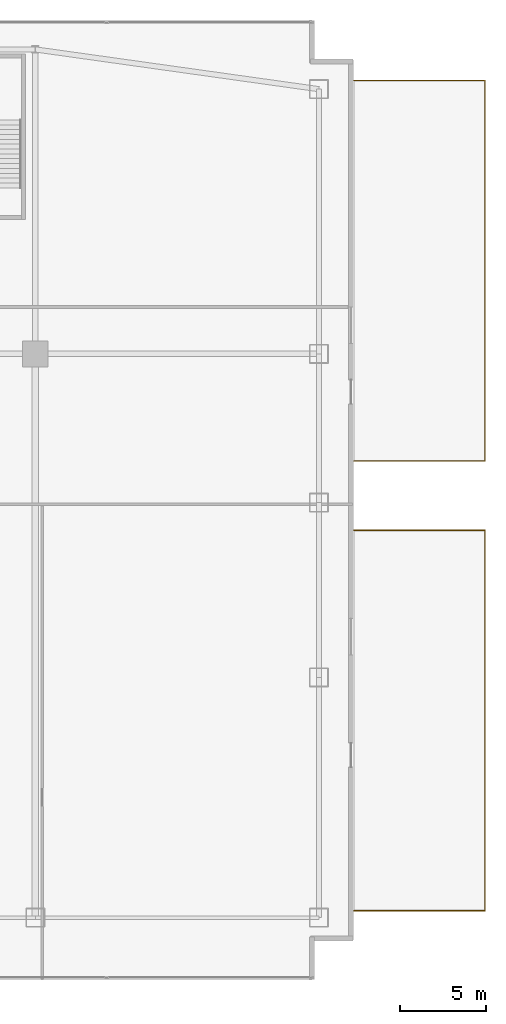
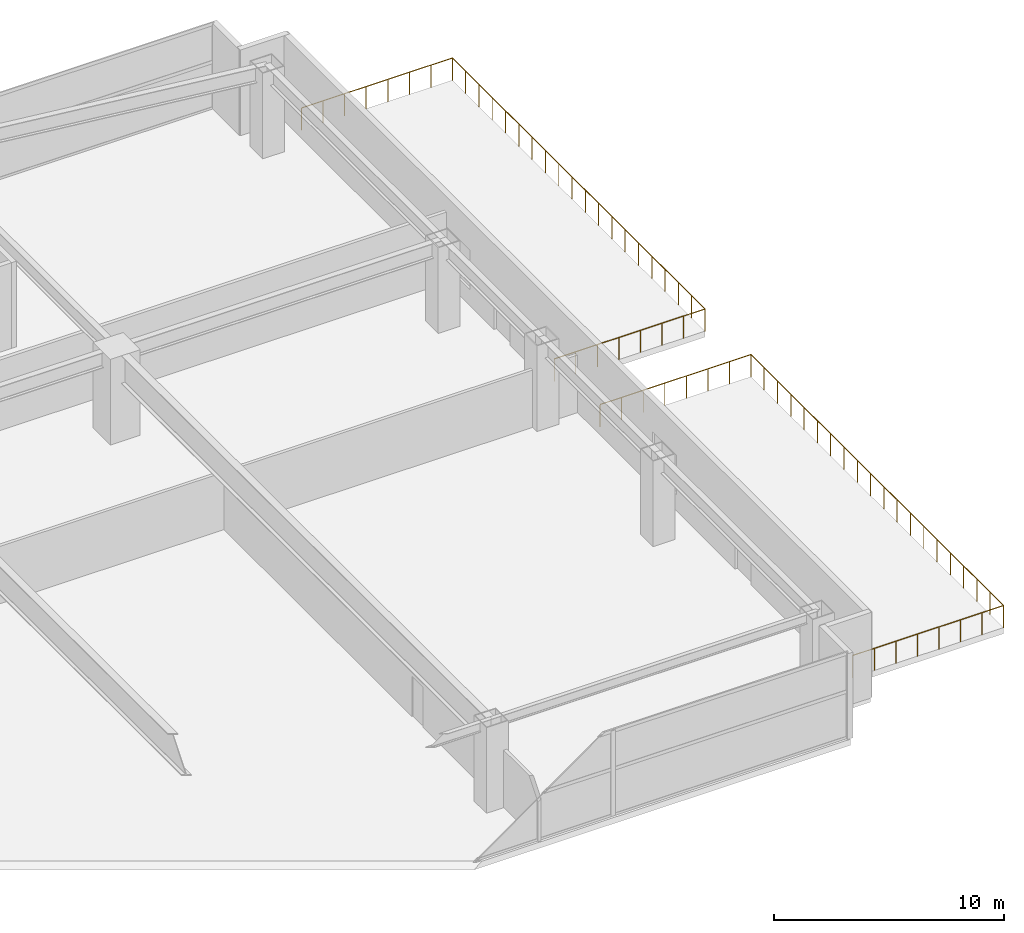
# One storey, part 30 of 30: 2 railings.
"""IFC4 building model written with IfcOpenShell, lengths in metres."""

import ifcopenshell
import ifcopenshell.guid

model = None  # the IFC model being written
_history = None  # IfcOwnerHistory: only IFC2X3 demands one
_inside = {}  # id of a spatial element -> (the spatial element, [elements in it])
_under = {}  # id of a project, library or spatial element -> (it, [spatial elements below it])
_declared = {}  # id of a project -> (the project, [libraries it declares])
_typed = {}  # id of a type object -> (the type object, [elements of that type])
_made_of = {}  # id of a material, layer set ... -> (it, [elements and type objects made of it])


def new_model(schema):
    """Start an empty IFC model of exactly this schema.

    Asked for "IFC4X3", IfcOpenShell would pick the latest addendum, in which some entities
    have other attributes; the version numbers below select the first issue.
    IFC2X3 requires an IfcOwnerHistory on every rooted entity: one is made here for all.
    """
    global model, _history
    if schema == "IFC4X3":
        model = ifcopenshell.file(schema_version=(4, 3, 0, 0))
    else:
        model = ifcopenshell.file(schema=schema)
    _inside.clear()
    _under.clear()
    _declared.clear()
    _typed.clear()
    _made_of.clear()
    _history = None
    if model.schema == "IFC2X3":
        org = make("IfcOrganization", Name="unknown")
        user = make(
            "IfcPersonAndOrganization",
            ThePerson=make("IfcPerson", FamilyName="unknown"),
            TheOrganization=org,
        )
        app = make(
            "IfcApplication",
            ApplicationDeveloper=org,
            Version="unknown",
            ApplicationFullName="unknown",
            ApplicationIdentifier="unknown",
        )
        _history = make(
            "IfcOwnerHistory",
            OwningUser=user,
            OwningApplication=app,
            ChangeAction="ADDED",
            CreationDate=0,
        )
    return model


def make(cls, **values):
    """One entity of the class cls with the attributes given. An attribute that is None is left unset."""
    return model.create_entity(
        cls, **{name: value for name, value in values.items() if value is not None}
    )


def rooted(cls, **values):
    """An entity with a GlobalId (a new one), such as an element, a storey or a relation."""
    return make(cls, GlobalId=ifcopenshell.guid.new(), OwnerHistory=_history, **values)


def si_unit(unit_type, name, prefix=None):
    """IfcSIUnit, for example si_unit("LENGTHUNIT", "METRE", prefix="MILLI")."""
    return make("IfcSIUnit", UnitType=unit_type, Prefix=prefix, Name=name)


def assignment(units):
    """IfcUnitAssignment: the units of a project."""
    return None if units is None else make("IfcUnitAssignment", Units=units)


def point(xyz):
    """IfcCartesianPoint."""
    return None if xyz is None else make("IfcCartesianPoint", Coordinates=xyz)


def direction(xyz):
    """IfcDirection."""
    return None if xyz is None else make("IfcDirection", DirectionRatios=xyz)


def frame(location, z_axis=None, x_axis=None):
    """IfcAxis2Placement3D, a coordinate frame: its origin and axes. An axis left out is left unset."""
    return make(
        "IfcAxis2Placement3D",
        Location=point(location),
        Axis=direction(z_axis),
        RefDirection=direction(x_axis),
    )


def frame_2d(location, x_axis=None):
    """IfcAxis2Placement2D, a coordinate frame in the plane: its origin and x axis."""
    return make(
        "IfcAxis2Placement2D", Location=point(location), RefDirection=direction(x_axis)
    )


def origin():
    """The frame at (0, 0, 0) with its axes left unset."""
    return frame((0.0, 0.0, 0.0))


def origin_2d():
    """The frame at (0, 0) in the plane with its x axis left unset."""
    return frame_2d((0.0, 0.0))


def place(relative_to, where):
    """IfcLocalPlacement: puts the frame where relative to a parent placement (None: the world)."""
    return make(
        "IfcLocalPlacement", PlacementRelTo=relative_to, RelativePlacement=where
    )


def context(
    kind, dimensions, precision=None, world=None, true_north=None, identifier=None
):
    """IfcGeometricRepresentationContext, for example the 3D "Model" context."""
    return make(
        "IfcGeometricRepresentationContext",
        ContextIdentifier=identifier,
        ContextType=kind,
        CoordinateSpaceDimension=dimensions,
        Precision=precision,
        WorldCoordinateSystem=world,
        TrueNorth=true_north,
    )


def subcontext(parent, identifier, kind, view, scale=None):
    """IfcGeometricRepresentationSubContext, for example "Body" below "Model"."""
    return make(
        "IfcGeometricRepresentationSubContext",
        ContextIdentifier=identifier,
        ContextType=kind,
        ParentContext=parent,
        TargetScale=scale,
        TargetView=view,
    )


def project(units=None, contexts=None):
    """IfcProject with its units and contexts."""
    return rooted(
        "IfcProject",
        Name="project",
        RepresentationContexts=contexts,
        UnitsInContext=assignment(units),
    )


def spatial(cls, under=None, at=None, **own):
    """A site, building, storey or space (cls), placed at a placement, below another one or the project."""
    s = rooted(cls, ObjectPlacement=at, **own)
    if under is not None:
        _under.setdefault(under.id(), (under, []))[1].append(s)
    return s


def profile(cls, at=None, kind="AREA", **sizes):
    """A parametric profile (cls). Its sizes go by their IFC names, for example OverallWidth=200.0."""
    return make(cls, ProfileType=kind, Position=at, **sizes)


def circle(**sizes):
    """IfcCircleProfileDef."""
    return profile("IfcCircleProfileDef", **sizes)


def extrude(swept, where, along, depth):
    """IfcExtrudedAreaSolid: the profile swept, set in the frame where, extruded along a direction by depth."""
    return make(
        "IfcExtrudedAreaSolid",
        SweptArea=swept,
        Position=where,
        ExtrudedDirection=direction(along),
        Depth=depth,
    )


def shape(context_of_items, identifier, shape_type, items):
    """IfcShapeRepresentation: the items that make up one representation, for example the "Body"."""
    return make(
        "IfcShapeRepresentation",
        ContextOfItems=context_of_items,
        RepresentationIdentifier=identifier,
        RepresentationType=shape_type,
        Items=items,
    )


def material(Name=None, Category=None):
    """IfcMaterial."""
    return make("IfcMaterial", Name=Name, Category=Category)


def made_of(thing, what):
    """Note that an element or type object is made of a material, layer set ...; save() writes the relation."""
    if what is not None:
        _made_of.setdefault(what.id(), (what, []))[1].append(thing)
    return thing


def type_object(cls, material=None, **own):
    """A type object (cls), such as IfcWallType, which elements share."""
    return made_of(rooted(cls, **own), material)


def element(
    cls,
    number,
    at=None,
    inside=None,
    cuts=None,
    type_object=None,
    material=None,
    context=None,
    identifier="Body",
    shape_type=None,
    held_by="IfcProductDefinitionShape",
    body=None,
    shapes=None,
    **own,
):
    """One element of the class cls, such as IfcWall. Its Tag is "e" and its number.

    at: its placement. inside: the storey or other place that contains it. cuts: it is an
    opening in that element (IfcRelVoidsElement). A single representation is given by context,
    identifier, shape_type and body (its items); several are given by shapes. held_by: the class
    of the entity that holds the representations. save() writes the other relations.
    """
    e = rooted(cls, Tag="e%d" % number, ObjectPlacement=at, **own)
    if body is not None:
        shapes = [shape(context, identifier, shape_type, body)]
    if shapes is not None:
        e.Representation = make(held_by, Representations=shapes)
    if inside is not None:
        _inside.setdefault(inside.id(), (inside, []))[1].append(e)
    if cuts is not None:
        rooted(
            "IfcRelVoidsElement", RelatingBuildingElement=cuts, RelatedOpeningElement=e
        )
    if type_object is not None:
        _typed.setdefault(type_object.id(), (type_object, []))[1].append(e)
    return made_of(e, material)


def aggregate(whole, parts):
    """IfcRelAggregates: a whole, such as a stair, and the parts it consists of."""
    return rooted("IfcRelAggregates", RelatingObject=whole, RelatedObjects=parts)


def save(model, path):
    """Write the relations noted so far, then the file.

    IfcRelAggregates (storeys below a building ...), IfcRelContainedInSpatialStructure (elements
    in a storey), IfcRelDefinesByType, IfcRelAssociatesMaterial and IfcRelDeclares: one each for
    every whole, place, type object, material and project.
    """
    for whole, parts in _under.values():
        aggregate(whole, parts)
    for where, things in _inside.values():
        rooted(
            "IfcRelContainedInSpatialStructure",
            RelatedElements=things,
            RelatingStructure=where,
        )
    for kind, things in _typed.values():
        rooted("IfcRelDefinesByType", RelatedObjects=things, RelatingType=kind)
    for what, things in _made_of.values():
        rooted("IfcRelAssociatesMaterial", RelatedObjects=things, RelatingMaterial=what)
    for by, libraries in _declared.values():
        rooted("IfcRelDeclares", RelatingContext=by, RelatedDefinitions=libraries)
    model.write(path)


model = new_model("IFC4")

# Units and contexts
model_context = context("Model", 3, precision=1e-05, world=origin(), true_north=direction((0.0, 1.0)))
body_context = subcontext(model_context, "Body", "Model", "MODEL_VIEW")
ifc_project = project(units=[si_unit("LENGTHUNIT", "METRE"), si_unit("AREAUNIT", "SQUARE_METRE"), si_unit("VOLUMEUNIT", "CUBIC_METRE"), si_unit("PLANEANGLEUNIT", "RADIAN"), si_unit("MASSUNIT", "GRAM", prefix="KILO")], contexts=[model_context])

# Site, building, storey
site_placement = place(None, origin())
site = spatial("IfcSite", under=ifc_project, at=site_placement, CompositionType="ELEMENT")
building_placement = place(site_placement, origin())
building = spatial("IfcBuilding", under=site, at=building_placement, Name="Calvorn Quay Hotel", CompositionType="ELEMENT")
storey_placement = place(building_placement, frame((0.0, 0.0, 17.0)))
storey = spatial("IfcBuildingStorey", under=building, at=storey_placement, Name="L03", CompositionType="ELEMENT", Elevation=17.0)

# Railings
ifc_material = material(Name="Pale Anodised Aluminium and Laminated Glass", Category="aluminium")
railing_type = type_object("IfcRailingType", Name="RLG-BALUSTRADE-1200", PredefinedType="BALUSTRADE", material=ifc_material)
railing_1_placement = place(storey_placement, frame((76.02001953125, 4.0, 0.0)))
element("IfcRailing", 1, at=railing_1_placement, inside=storey, type_object=railing_type, Name="L03 Terrace Balustrade 1", PredefinedType="BALUSTRADE", context=body_context, shape_type="SweptSolid", body=[
    extrude(circle(Radius=0.02392578125, at=origin_2d()), frame((0.0, 0.0, 1.17578125), z_axis=(1.0, 0.0, 0.0), x_axis=(0.0, 1.0, 0.0)), (0.0, 0.0, 1.0), 7.580078125),
    extrude(circle(Radius=0.02392578125, at=origin_2d()), frame((7.580078125, 0.0, 1.17578125), z_axis=(0.0, 1.0, 0.0), x_axis=(-1.0, 0.0, 0.0)), (0.0, 0.0, 1.0), 22.0),
    extrude(circle(Radius=0.02392578125, at=origin_2d()), frame((7.580078125, 22.0, 1.17578125), z_axis=(-1.0, 0.0, 0.0), x_axis=(0.0, -1.0, 0.0)), (0.0, 0.0, 1.0), 7.580078125),
    extrude(circle(Radius=0.02099609375, at=origin_2d()), origin(), (0.0, 0.0, 1.0), 1.15185546875),
    extrude(circle(Radius=0.02099609375, at=origin_2d()), frame((1.082763671875, 0.0, 0.0)), (0.0, 0.0, 1.0), 1.15185546875),
    extrude(circle(Radius=0.02099609375, at=origin_2d()), frame((2.165771484375, 0.0, 0.0)), (0.0, 0.0, 1.0), 1.15185546875),
    extrude(circle(Radius=0.02099609375, at=origin_2d()), frame((3.24853515625, 0.0, 0.0)), (0.0, 0.0, 1.0), 1.15185546875),
    extrude(circle(Radius=0.02099609375, at=origin_2d()), frame((4.33154296875, 0.0, 0.0)), (0.0, 0.0, 1.0), 1.15185546875),
    extrude(circle(Radius=0.02099609375, at=origin_2d()), frame((5.414306640625, 0.0, 0.0)), (0.0, 0.0, 1.0), 1.15185546875),
    extrude(circle(Radius=0.02099609375, at=origin_2d()), frame((6.497314453125, 0.0, 0.0)), (0.0, 0.0, 1.0), 1.15185546875),
    extrude(circle(Radius=0.02099609375, at=origin_2d()), frame((7.580078125, 0.0, 0.0)), (0.0, 0.0, 1.0), 1.15185546875),
    extrude(circle(Radius=0.02099609375, at=origin_2d()), frame((7.580078125, 1.157958984375, 0.0)), (0.0, 0.0, 1.0), 1.15185546875),
    extrude(circle(Radius=0.02099609375, at=origin_2d()), frame((7.580078125, 2.315673828125, 0.0)), (0.0, 0.0, 1.0), 1.15185546875),
    extrude(circle(Radius=0.02099609375, at=origin_2d()), frame((7.580078125, 3.4736328125, 0.0)), (0.0, 0.0, 1.0), 1.15185546875),
    extrude(circle(Radius=0.02099609375, at=origin_2d()), frame((7.580078125, 4.631591796875, 0.0)), (0.0, 0.0, 1.0), 1.15185546875),
    extrude(circle(Radius=0.02099609375, at=origin_2d()), frame((7.580078125, 5.78955078125, 0.0)), (0.0, 0.0, 1.0), 1.15185546875),
    extrude(circle(Radius=0.02099609375, at=origin_2d()), frame((7.580078125, 6.947265625, 0.0)), (0.0, 0.0, 1.0), 1.15185546875),
    extrude(circle(Radius=0.02099609375, at=origin_2d()), frame((7.580078125, 8.105224609375, 0.0)), (0.0, 0.0, 1.0), 1.15185546875),
    extrude(circle(Radius=0.02099609375, at=origin_2d()), frame((7.580078125, 9.26318359375, 0.0)), (0.0, 0.0, 1.0), 1.15185546875),
    extrude(circle(Radius=0.02099609375, at=origin_2d()), frame((7.580078125, 10.421142578125, 0.0)), (0.0, 0.0, 1.0), 1.15185546875),
    extrude(circle(Radius=0.02099609375, at=origin_2d()), frame((7.580078125, 11.578857421875, 0.0)), (0.0, 0.0, 1.0), 1.15185546875),
    extrude(circle(Radius=0.02099609375, at=origin_2d()), frame((7.580078125, 12.73681640625, 0.0)), (0.0, 0.0, 1.0), 1.15185546875),
    extrude(circle(Radius=0.02099609375, at=origin_2d()), frame((7.580078125, 13.894775390625, 0.0)), (0.0, 0.0, 1.0), 1.15185546875),
    extrude(circle(Radius=0.02099609375, at=origin_2d()), frame((7.580078125, 15.052734375, 0.0)), (0.0, 0.0, 1.0), 1.15185546875),
    extrude(circle(Radius=0.02099609375, at=origin_2d()), frame((7.580078125, 16.21044921875, 0.0)), (0.0, 0.0, 1.0), 1.15185546875),
    extrude(circle(Radius=0.02099609375, at=origin_2d()), frame((7.580078125, 17.368408203125, 0.0)), (0.0, 0.0, 1.0), 1.15185546875),
    extrude(circle(Radius=0.02099609375, at=origin_2d()), frame((7.580078125, 18.5263671875, 0.0)), (0.0, 0.0, 1.0), 1.15185546875),
    extrude(circle(Radius=0.02099609375, at=origin_2d()), frame((7.580078125, 19.684326171875, 0.0)), (0.0, 0.0, 1.0), 1.15185546875),
    extrude(circle(Radius=0.02099609375, at=origin_2d()), frame((7.580078125, 20.842041015625, 0.0)), (0.0, 0.0, 1.0), 1.15185546875),
    extrude(circle(Radius=0.02099609375, at=origin_2d()), frame((7.580078125, 22.0, 0.0)), (0.0, 0.0, 1.0), 1.15185546875),
    extrude(circle(Radius=0.02099609375, at=origin_2d()), frame((6.497314453125, 22.0, 0.0)), (0.0, 0.0, 1.0), 1.15185546875),
    extrude(circle(Radius=0.02099609375, at=origin_2d()), frame((5.414306640625, 22.0, 0.0)), (0.0, 0.0, 1.0), 1.15185546875),
    extrude(circle(Radius=0.02099609375, at=origin_2d()), frame((4.33154296875, 22.0, 0.0)), (0.0, 0.0, 1.0), 1.15185546875),
    extrude(circle(Radius=0.02099609375, at=origin_2d()), frame((3.24853515625, 22.0, 0.0)), (0.0, 0.0, 1.0), 1.15185546875),
    extrude(circle(Radius=0.02099609375, at=origin_2d()), frame((2.165771484375, 22.0, 0.0)), (0.0, 0.0, 1.0), 1.15185546875),
    extrude(circle(Radius=0.02099609375, at=origin_2d()), frame((1.082763671875, 22.0, 0.0)), (0.0, 0.0, 1.0), 1.15185546875),
    extrude(circle(Radius=0.02099609375, at=origin_2d()), frame((0.0, 22.0, 0.0)), (0.0, 0.0, 1.0), 1.15185546875),
])
railing_2_placement = place(storey_placement, frame((76.02001953125, 30.0, 0.0)))
element("IfcRailing", 2, at=railing_2_placement, inside=storey, type_object=railing_type, Name="L03 Terrace Balustrade 2", PredefinedType="BALUSTRADE", context=body_context, shape_type="SweptSolid", body=[
    extrude(circle(Radius=0.02392578125, at=origin_2d()), frame((0.0, 0.0, 1.17578125), z_axis=(1.0, 0.0, 0.0), x_axis=(0.0, 1.0, 0.0)), (0.0, 0.0, 1.0), 7.580078125),
    extrude(circle(Radius=0.02392578125, at=origin_2d()), frame((7.580078125, 0.0, 1.17578125), z_axis=(0.0, 1.0, 0.0), x_axis=(-1.0, 0.0, 0.0)), (0.0, 0.0, 1.0), 22.0),
    extrude(circle(Radius=0.02392578125, at=origin_2d()), frame((7.580078125, 22.0, 1.17578125), z_axis=(-1.0, 0.0, 0.0), x_axis=(0.0, -1.0, 0.0)), (0.0, 0.0, 1.0), 7.580078125),
    extrude(circle(Radius=0.02099609375, at=origin_2d()), origin(), (0.0, 0.0, 1.0), 1.15185546875),
    extrude(circle(Radius=0.02099609375, at=origin_2d()), frame((1.082763671875, 0.0, 0.0)), (0.0, 0.0, 1.0), 1.15185546875),
    extrude(circle(Radius=0.02099609375, at=origin_2d()), frame((2.165771484375, 0.0, 0.0)), (0.0, 0.0, 1.0), 1.15185546875),
    extrude(circle(Radius=0.02099609375, at=origin_2d()), frame((3.24853515625, 0.0, 0.0)), (0.0, 0.0, 1.0), 1.15185546875),
    extrude(circle(Radius=0.02099609375, at=origin_2d()), frame((4.33154296875, 0.0, 0.0)), (0.0, 0.0, 1.0), 1.15185546875),
    extrude(circle(Radius=0.02099609375, at=origin_2d()), frame((5.414306640625, 0.0, 0.0)), (0.0, 0.0, 1.0), 1.15185546875),
    extrude(circle(Radius=0.02099609375, at=origin_2d()), frame((6.497314453125, 0.0, 0.0)), (0.0, 0.0, 1.0), 1.15185546875),
    extrude(circle(Radius=0.02099609375, at=origin_2d()), frame((7.580078125, 0.0, 0.0)), (0.0, 0.0, 1.0), 1.15185546875),
    extrude(circle(Radius=0.02099609375, at=origin_2d()), frame((7.580078125, 1.157958984375, 0.0)), (0.0, 0.0, 1.0), 1.15185546875),
    extrude(circle(Radius=0.02099609375, at=origin_2d()), frame((7.580078125, 2.315673828125, 0.0)), (0.0, 0.0, 1.0), 1.15185546875),
    extrude(circle(Radius=0.02099609375, at=origin_2d()), frame((7.580078125, 3.4736328125, 0.0)), (0.0, 0.0, 1.0), 1.15185546875),
    extrude(circle(Radius=0.02099609375, at=origin_2d()), frame((7.580078125, 4.631591796875, 0.0)), (0.0, 0.0, 1.0), 1.15185546875),
    extrude(circle(Radius=0.02099609375, at=origin_2d()), frame((7.580078125, 5.78955078125, 0.0)), (0.0, 0.0, 1.0), 1.15185546875),
    extrude(circle(Radius=0.02099609375, at=origin_2d()), frame((7.580078125, 6.947265625, 0.0)), (0.0, 0.0, 1.0), 1.15185546875),
    extrude(circle(Radius=0.02099609375, at=origin_2d()), frame((7.580078125, 8.105224609375, 0.0)), (0.0, 0.0, 1.0), 1.15185546875),
    extrude(circle(Radius=0.02099609375, at=origin_2d()), frame((7.580078125, 9.26318359375, 0.0)), (0.0, 0.0, 1.0), 1.15185546875),
    extrude(circle(Radius=0.02099609375, at=origin_2d()), frame((7.580078125, 10.421142578125, 0.0)), (0.0, 0.0, 1.0), 1.15185546875),
    extrude(circle(Radius=0.02099609375, at=origin_2d()), frame((7.580078125, 11.578857421875, 0.0)), (0.0, 0.0, 1.0), 1.15185546875),
    extrude(circle(Radius=0.02099609375, at=origin_2d()), frame((7.580078125, 12.73681640625, 0.0)), (0.0, 0.0, 1.0), 1.15185546875),
    extrude(circle(Radius=0.02099609375, at=origin_2d()), frame((7.580078125, 13.894775390625, 0.0)), (0.0, 0.0, 1.0), 1.15185546875),
    extrude(circle(Radius=0.02099609375, at=origin_2d()), frame((7.580078125, 15.052734375, 0.0)), (0.0, 0.0, 1.0), 1.15185546875),
    extrude(circle(Radius=0.02099609375, at=origin_2d()), frame((7.580078125, 16.21044921875, 0.0)), (0.0, 0.0, 1.0), 1.15185546875),
    extrude(circle(Radius=0.02099609375, at=origin_2d()), frame((7.580078125, 17.368408203125, 0.0)), (0.0, 0.0, 1.0), 1.15185546875),
    extrude(circle(Radius=0.02099609375, at=origin_2d()), frame((7.580078125, 18.5263671875, 0.0)), (0.0, 0.0, 1.0), 1.15185546875),
    extrude(circle(Radius=0.02099609375, at=origin_2d()), frame((7.580078125, 19.684326171875, 0.0)), (0.0, 0.0, 1.0), 1.15185546875),
    extrude(circle(Radius=0.02099609375, at=origin_2d()), frame((7.580078125, 20.842041015625, 0.0)), (0.0, 0.0, 1.0), 1.15185546875),
    extrude(circle(Radius=0.02099609375, at=origin_2d()), frame((7.580078125, 22.0, 0.0)), (0.0, 0.0, 1.0), 1.15185546875),
    extrude(circle(Radius=0.02099609375, at=origin_2d()), frame((6.497314453125, 22.0, 0.0)), (0.0, 0.0, 1.0), 1.15185546875),
    extrude(circle(Radius=0.02099609375, at=origin_2d()), frame((5.414306640625, 22.0, 0.0)), (0.0, 0.0, 1.0), 1.15185546875),
    extrude(circle(Radius=0.02099609375, at=origin_2d()), frame((4.33154296875, 22.0, 0.0)), (0.0, 0.0, 1.0), 1.15185546875),
    extrude(circle(Radius=0.02099609375, at=origin_2d()), frame((3.24853515625, 22.0, 0.0)), (0.0, 0.0, 1.0), 1.15185546875),
    extrude(circle(Radius=0.02099609375, at=origin_2d()), frame((2.165771484375, 22.0, 0.0)), (0.0, 0.0, 1.0), 1.15185546875),
    extrude(circle(Radius=0.02099609375, at=origin_2d()), frame((1.082763671875, 22.0, 0.0)), (0.0, 0.0, 1.0), 1.15185546875),
    extrude(circle(Radius=0.02099609375, at=origin_2d()), frame((0.0, 22.0, 0.0)), (0.0, 0.0, 1.0), 1.15185546875),
])

save(model, "model.ifc")
